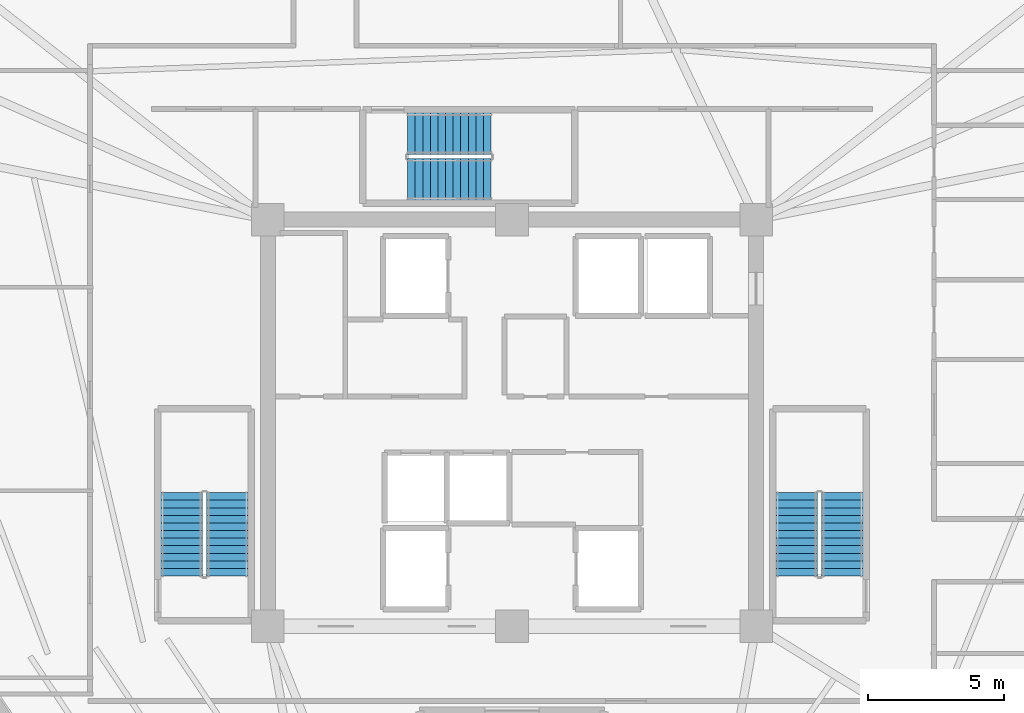
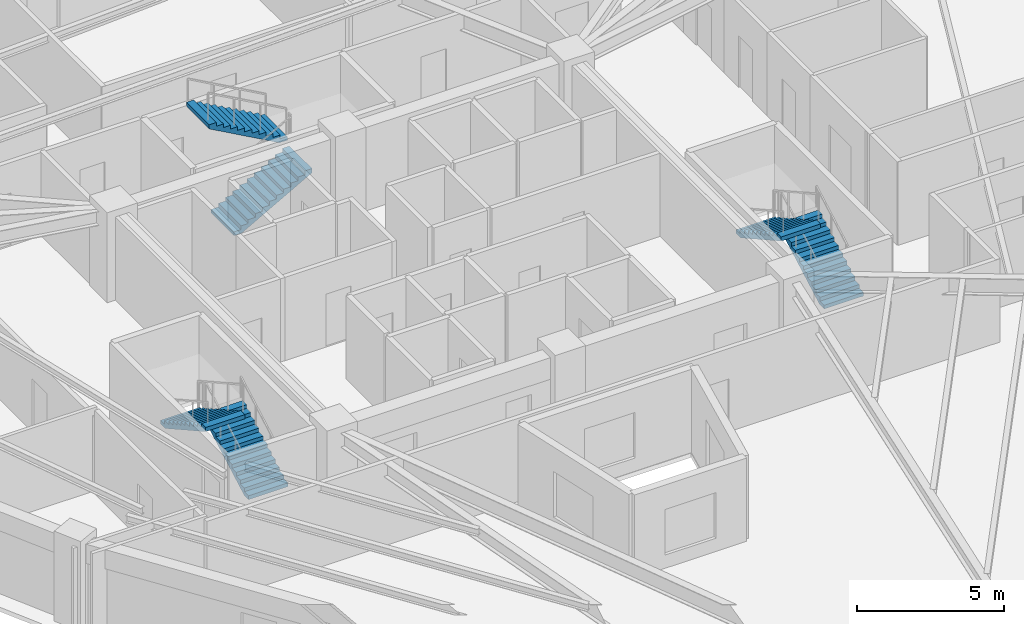
# One storey, part 7 of 8: 6 stair flights, 3 elements without a shape of their own.
"""IFC4 building model written with IfcOpenShell, lengths in metres."""

from ifc_helpers import new_model, si_unit, direction, frame, origin, place, context, subcontext, project, spatial, polyline, outline, extrude, material, type_object, element, aggregate, save


model = new_model("IFC4")

# Units and contexts
model_context = context("Model", 3, precision=1e-05, world=origin(), true_north=direction((0.0, 1.0)))
body_context = subcontext(model_context, "Body", "Model", "MODEL_VIEW")
ifc_project = project(units=[si_unit("LENGTHUNIT", "METRE"), si_unit("AREAUNIT", "SQUARE_METRE"), si_unit("VOLUMEUNIT", "CUBIC_METRE"), si_unit("PLANEANGLEUNIT", "RADIAN"), si_unit("MASSUNIT", "GRAM", prefix="KILO")], contexts=[model_context])

# Site, building, storey
site_placement = place(None, origin())
site = spatial("IfcSite", under=ifc_project, at=site_placement, CompositionType="ELEMENT")
building_placement = place(site_placement, origin())
building = spatial("IfcBuilding", under=site, at=building_placement, Name="Liaohun Quay Tower", CompositionType="ELEMENT")
storey_placement = place(building_placement, frame((0.0, 0.0, 320.25)))
storey = spatial("IfcBuildingStorey", under=building, at=storey_placement, Name="L83", CompositionType="ELEMENT", Elevation=320.25)

# Stair, stair flights
ifc_material = material(Name="Concrete C45", Category="concrete")
stair_type = type_object("IfcStairType", Name="STR-CORE-OFF", PredefinedType="HALF_TURN_STAIR", material=ifc_material)
stair_1_placement = place(storey_placement, origin())
stair_1 = element("IfcStair", 1, at=stair_1_placement, inside=storey, type_object=stair_type, Name="L83 Smokeproof Core Exit Stair ST-1", PredefinedType="HALF_TURN_STAIR")
stair_flight_type = type_object("IfcStairFlightType", Name="FLT-CORE-155", PredefinedType="STRAIGHT", material=ifc_material)
stair_flight_1_placement = place(storey_placement, frame((49.5048828125, 48.35009765625, 0.0), z_axis=(0.0, 0.0, 1.0), x_axis=(0.0, 1.0, 0.0)))
stair_flight_1 = element("IfcStairFlight", 2, at=stair_flight_1_placement, type_object=stair_flight_type, Name="ST-1 flight 1", NumberOfRisers=12, NumberOfTreads=11, PredefinedType="STRAIGHT", RiserHeight=0.15625, TreadLength=0.28, context=body_context, shape_type="SweptSolid", body=[
    extrude(outline(polyline([(0.0, 0.0), (0.0, 0.15625), (0.280029296875, 0.15625), (0.280029296875, 0.3125), (0.56005859375, 0.3125), (0.56005859375, 0.46875), (0.840087890625, 0.46875), (0.840087890625, 0.625), (1.1201171875, 0.625), (1.1201171875, 0.78125), (1.39990234375, 0.78125), (1.39990234375, 0.9375), (1.679931640625, 0.9375), (1.679931640625, 1.09375), (1.9599609375, 1.09375), (1.9599609375, 1.25), (2.239990234375, 1.25), (2.239990234375, 1.40625), (2.52001953125, 1.40625), (2.52001953125, 1.5625), (2.800048828125, 1.5625), (2.800048828125, 1.71875), (3.080078125, 1.71875), (3.080078125, 1.875), (3.080078125, 1.547119140625), (0.3076171875, 0.0), (0.0, 0.0)])), frame((0.0, 0.77490234375, 0.0), z_axis=(0.0, -1.0, 0.0), x_axis=(1.0, 0.0, 0.0)), (0.0, 0.0, 1.0), 1.550048828125),
])
stair_flight_2_placement = place(storey_placement, frame((47.81494140625, 51.429931640625, 1.875), z_axis=(0.0, 0.0, 1.0), x_axis=(0.0, -1.0, 0.0)))
stair_flight_2 = element("IfcStairFlight", 3, at=stair_flight_2_placement, type_object=stair_flight_type, Name="ST-1 flight 2", NumberOfRisers=12, NumberOfTreads=11, PredefinedType="STRAIGHT", RiserHeight=0.15625, TreadLength=0.28, context=body_context, shape_type="SweptSolid", body=[
    extrude(outline(polyline([(0.0, 0.0), (0.0, 0.15625), (0.280029296875, 0.15625), (0.280029296875, 0.3125), (0.56005859375, 0.3125), (0.56005859375, 0.46875), (0.840087890625, 0.46875), (0.840087890625, 0.625), (1.1201171875, 0.625), (1.1201171875, 0.78125), (1.39990234375, 0.78125), (1.39990234375, 0.9375), (1.679931640625, 0.9375), (1.679931640625, 1.09375), (1.9599609375, 1.09375), (1.9599609375, 1.25), (2.239990234375, 1.25), (2.239990234375, 1.40625), (2.52001953125, 1.40625), (2.52001953125, 1.5625), (2.800048828125, 1.5625), (2.800048828125, 1.71875), (3.080078125, 1.71875), (3.080078125, 1.875), (3.080078125, 1.547119140625), (0.3076171875, 0.0), (0.0, 0.0)])), frame((0.0, 0.77490234375, 0.0), z_axis=(0.0, -1.0, 0.0), x_axis=(1.0, 0.0, 0.0)), (0.0, 0.0, 1.0), 1.550048828125),
])
aggregate(stair_1, [stair_flight_1, stair_flight_2])

stair_2_placement = place(storey_placement, origin())
stair_2 = element("IfcStair", 4, at=stair_2_placement, inside=storey, type_object=stair_type, Name="L83 Smokeproof Core Exit Stair ST-2", PredefinedType="HALF_TURN_STAIR")
stair_flight_3_placement = place(storey_placement, frame((72.18505859375, 48.35009765625, 0.0), z_axis=(0.0, 0.0, 1.0), x_axis=(0.0, 1.0, 0.0)))
stair_flight_3 = element("IfcStairFlight", 5, at=stair_flight_3_placement, type_object=stair_flight_type, Name="ST-2 flight 1", NumberOfRisers=12, NumberOfTreads=11, PredefinedType="STRAIGHT", RiserHeight=0.15625, TreadLength=0.28, context=body_context, shape_type="SweptSolid", body=[
    extrude(outline(polyline([(0.0, 0.0), (0.0, 0.15625), (0.280029296875, 0.15625), (0.280029296875, 0.3125), (0.56005859375, 0.3125), (0.56005859375, 0.46875), (0.840087890625, 0.46875), (0.840087890625, 0.625), (1.1201171875, 0.625), (1.1201171875, 0.78125), (1.39990234375, 0.78125), (1.39990234375, 0.9375), (1.679931640625, 0.9375), (1.679931640625, 1.09375), (1.9599609375, 1.09375), (1.9599609375, 1.25), (2.239990234375, 1.25), (2.239990234375, 1.40625), (2.52001953125, 1.40625), (2.52001953125, 1.5625), (2.800048828125, 1.5625), (2.800048828125, 1.71875), (3.080078125, 1.71875), (3.080078125, 1.875), (3.080078125, 1.547119140625), (0.3076171875, 0.0), (0.0, 0.0)])), frame((0.0, 0.77490234375, 0.0), z_axis=(0.0, -1.0, 0.0), x_axis=(1.0, 0.0, 0.0)), (0.0, 0.0, 1.0), 1.550048828125),
])
stair_flight_4_placement = place(storey_placement, frame((70.4951171875, 51.429931640625, 1.875), z_axis=(0.0, 0.0, 1.0), x_axis=(0.0, -1.0, 0.0)))
stair_flight_4 = element("IfcStairFlight", 6, at=stair_flight_4_placement, type_object=stair_flight_type, Name="ST-2 flight 2", NumberOfRisers=12, NumberOfTreads=11, PredefinedType="STRAIGHT", RiserHeight=0.15625, TreadLength=0.28, context=body_context, shape_type="SweptSolid", body=[
    extrude(outline(polyline([(0.0, 0.0), (0.0, 0.15625), (0.280029296875, 0.15625), (0.280029296875, 0.3125), (0.56005859375, 0.3125), (0.56005859375, 0.46875), (0.840087890625, 0.46875), (0.840087890625, 0.625), (1.1201171875, 0.625), (1.1201171875, 0.78125), (1.39990234375, 0.78125), (1.39990234375, 0.9375), (1.679931640625, 0.9375), (1.679931640625, 1.09375), (1.9599609375, 1.09375), (1.9599609375, 1.25), (2.239990234375, 1.25), (2.239990234375, 1.40625), (2.52001953125, 1.40625), (2.52001953125, 1.5625), (2.800048828125, 1.5625), (2.800048828125, 1.71875), (3.080078125, 1.71875), (3.080078125, 1.875), (3.080078125, 1.547119140625), (0.3076171875, 0.0), (0.0, 0.0)])), frame((0.0, 0.77490234375, 0.0), z_axis=(0.0, -1.0, 0.0), x_axis=(1.0, 0.0, 0.0)), (0.0, 0.0, 1.0), 1.550048828125),
])
aggregate(stair_2, [stair_flight_3, stair_flight_4])

stair_3_placement = place(storey_placement, origin())
stair_3 = element("IfcStair", 7, at=stair_3_placement, inside=storey, type_object=stair_type, Name="L83 Smokeproof Core Exit Stair ST-3", PredefinedType="HALF_TURN_STAIR")
stair_flight_5_placement = place(storey_placement, frame((56.14990234375, 62.97509765625, 0.0), z_axis=(0.0, 0.0, 1.0), x_axis=(1.0, 0.0, 0.0)))
stair_flight_5 = element("IfcStairFlight", 8, at=stair_flight_5_placement, type_object=stair_flight_type, Name="ST-3 flight 1", NumberOfRisers=12, NumberOfTreads=11, PredefinedType="STRAIGHT", RiserHeight=0.15625, TreadLength=0.28, context=body_context, shape_type="SweptSolid", body=[
    extrude(outline(polyline([(0.0, 0.0), (0.0, 0.15625), (0.280029296875, 0.15625), (0.280029296875, 0.3125), (0.56005859375, 0.3125), (0.56005859375, 0.46875), (0.840087890625, 0.46875), (0.840087890625, 0.625), (1.1201171875, 0.625), (1.1201171875, 0.78125), (1.39990234375, 0.78125), (1.39990234375, 0.9375), (1.679931640625, 0.9375), (1.679931640625, 1.09375), (1.9599609375, 1.09375), (1.9599609375, 1.25), (2.239990234375, 1.25), (2.239990234375, 1.40625), (2.52001953125, 1.40625), (2.52001953125, 1.5625), (2.800048828125, 1.5625), (2.800048828125, 1.71875), (3.080078125, 1.71875), (3.080078125, 1.875), (3.080078125, 1.547119140625), (0.3076171875, 0.0), (0.0, 0.0)])), frame((0.0, 0.77490234375, 0.0), z_axis=(0.0, -1.0, 0.0), x_axis=(1.0, 0.0, 0.0)), (0.0, 0.0, 1.0), 1.550048828125),
])
stair_flight_6_placement = place(storey_placement, frame((59.22998046875, 64.6650390625, 1.875), z_axis=(0.0, 0.0, 1.0), x_axis=(-1.0, 0.0, 0.0)))
stair_flight_6 = element("IfcStairFlight", 9, at=stair_flight_6_placement, type_object=stair_flight_type, Name="ST-3 flight 2", NumberOfRisers=12, NumberOfTreads=11, PredefinedType="STRAIGHT", RiserHeight=0.15625, TreadLength=0.28, context=body_context, shape_type="SweptSolid", body=[
    extrude(outline(polyline([(0.0, 0.0), (0.0, 0.15625), (0.280029296875, 0.15625), (0.280029296875, 0.3125), (0.56005859375, 0.3125), (0.56005859375, 0.46875), (0.840087890625, 0.46875), (0.840087890625, 0.625), (1.1201171875, 0.625), (1.1201171875, 0.78125), (1.39990234375, 0.78125), (1.39990234375, 0.9375), (1.679931640625, 0.9375), (1.679931640625, 1.09375), (1.9599609375, 1.09375), (1.9599609375, 1.25), (2.239990234375, 1.25), (2.239990234375, 1.40625), (2.52001953125, 1.40625), (2.52001953125, 1.5625), (2.800048828125, 1.5625), (2.800048828125, 1.71875), (3.080078125, 1.71875), (3.080078125, 1.875), (3.080078125, 1.547119140625), (0.3076171875, 0.0), (0.0, 0.0)])), frame((0.0, 0.77490234375, 0.0), z_axis=(0.0, -1.0, 0.0), x_axis=(1.0, 0.0, 0.0)), (0.0, 0.0, 1.0), 1.550048828125),
])
aggregate(stair_3, [stair_flight_5, stair_flight_6])

save(model, "model.ifc")
